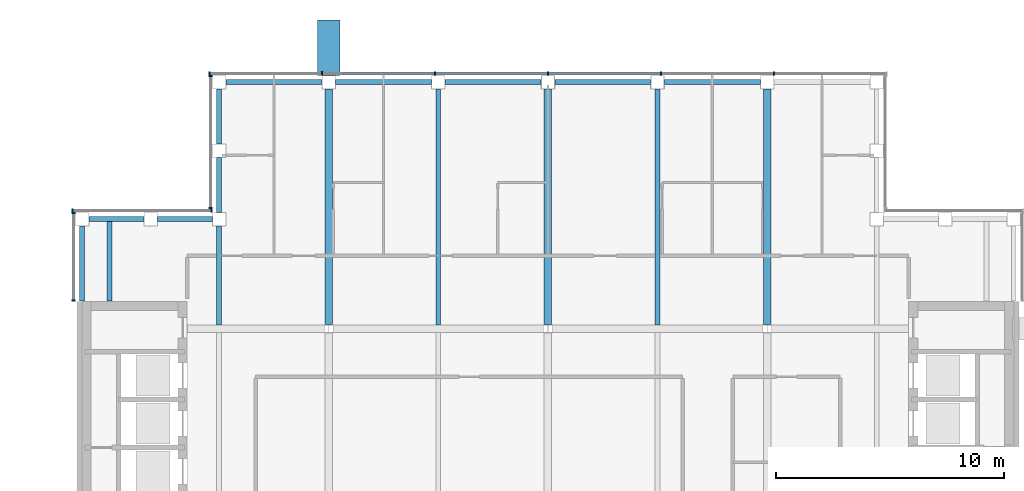
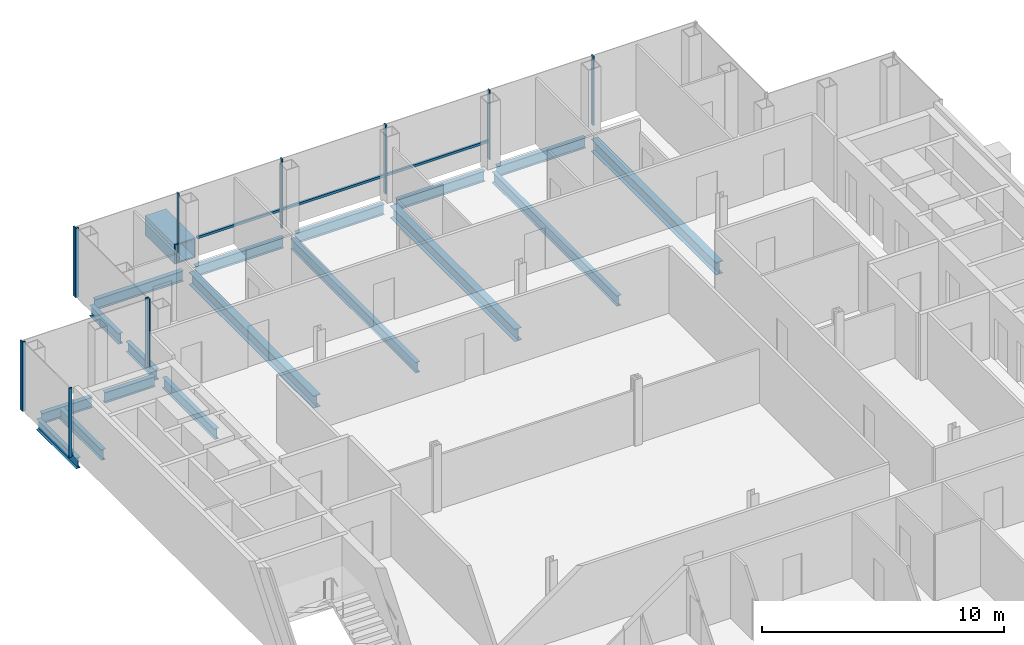
# One storey, part 7 of 15: 18 beams, 15 members, 4 elements without a shape of their own.
"""IFC4 building model written with IfcOpenShell, lengths in metres."""

from ifc_helpers import new_model, si_unit, direction, frame, origin, origin_2d, place, context, subcontext, project, spatial, rectangle, hollow_rectangle, i_section, extrude, material, material_profile, profile_set, type_object, element, aggregate, save


model = new_model("IFC4")

# Units and contexts
model_context = context("Model", 3, precision=1e-05, world=origin(), true_north=direction((0.0, 1.0)))
body_context = subcontext(model_context, "Body", "Model", "MODEL_VIEW")
ifc_project = project(units=[si_unit("LENGTHUNIT", "METRE"), si_unit("AREAUNIT", "SQUARE_METRE"), si_unit("VOLUMEUNIT", "CUBIC_METRE"), si_unit("PLANEANGLEUNIT", "RADIAN"), si_unit("MASSUNIT", "GRAM", prefix="KILO")], contexts=[model_context])

# Site, building, storey
site_placement = place(None, origin())
site = spatial("IfcSite", under=ifc_project, at=site_placement, CompositionType="ELEMENT")
building_placement = place(site_placement, origin())
building = spatial("IfcBuilding", under=site, at=building_placement, Name="Cobrizo Arcos Hotel Tower", CompositionType="ELEMENT")
storey_placement = place(building_placement, frame((0.0, 0.0, 258.5)))
storey = spatial("IfcBuildingStorey", under=building, at=storey_placement, Name="L68", CompositionType="ELEMENT", Elevation=258.5)

# Beam
ifc_material_1 = material(Name="Steel ASTM A572 Grade 50", Category="steel")
ifc_material_profile_1 = material_profile(ifc_material_1, hollow_rectangle(XDim=1.0, YDim=1.0, WallThickness=0.06005859375, at=origin_2d()), Name="BOX 1000X1000X60")
ifc_profile_set_1 = profile_set([ifc_material_profile_1], Name="Steel ASTM A572 Grade 50")
beam_type_1 = type_object("IfcBeamType", Name="BOX 1000X1000X60 brace connector strut", PredefinedType="BEAM", material=ifc_profile_set_1)
beam_1_placement = place(storey_placement, frame((-9.60009765625, 20.68994140625, 0.5), z_axis=(0.0, 1.0, 0.0), x_axis=(-1.0, 0.0, 0.0)))
element("IfcBeam", 1, at=beam_1_placement, inside=storey, type_object=beam_type_1, Name="Perimeter brace stub BS1, zone Z5, north face, offset -9.60 m, L68", PredefinedType="BEAM", context=body_context, shape_type="SweptSolid", body=[
    extrude(hollow_rectangle(XDim=1.0, YDim=1.0, WallThickness=0.06005859375, at=origin_2d()), origin(), (0.0, 0.0, 1.0), 2.43017578125),
])

# Curtain wall, members
ifc_material_2 = material(Name="Aluminium 6063-T6 anodised bronze", Category="aluminium")
curtain_wall_type = type_object("IfcCurtainWallType", Name="CW-A guest facade", PredefinedType="NOTDEFINED", material=ifc_material_2)
curtain_wall_1_placement = place(storey_placement, origin())
curtain_wall_1 = element("IfcCurtainWall", 2, at=curtain_wall_1_placement, inside=storey, type_object=curtain_wall_type, Name="CW-A L68 N face", PredefinedType="NOTDEFINED")
ifc_material_profile_2 = material_profile(ifc_material_2, rectangle(XDim=0.14990234375, YDim=0.06005859375, at=origin_2d()), Name="CW-A mullion 150x60")
ifc_profile_set_2 = profile_set([ifc_material_profile_2], Name="Aluminium 6063-T6 anodised bronze")
member_type_1 = type_object("IfcMemberType", Name="CW-A mullion 150x60", PredefinedType="MULLION", material=ifc_profile_set_2)
member_1_placement = place(storey_placement, frame((9.89990234375, 20.77490234375, 0.0), z_axis=(0.0, 0.0, 1.0), x_axis=(0.0, 1.0, 0.0)))
member_1 = element("IfcMember", 3, at=member_1_placement, type_object=member_type_1, Name="CW-A mullion 2", PredefinedType="MULLION", context=body_context, shape_type="SweptSolid", body=[
    extrude(rectangle(XDim=0.14990234375, YDim=0.06005859375, at=origin_2d()), origin(), (0.0, 0.0, 1.0), 3.5),
])
member_2_placement = place(storey_placement, frame((4.949951171875, 20.77490234375, 0.0), z_axis=(0.0, 0.0, 1.0), x_axis=(0.0, 1.0, 0.0)))
member_2 = element("IfcMember", 4, at=member_2_placement, type_object=member_type_1, Name="CW-A mullion 3", PredefinedType="MULLION", context=body_context, shape_type="SweptSolid", body=[
    extrude(rectangle(XDim=0.14990234375, YDim=0.06005859375, at=origin_2d()), origin(), (0.0, 0.0, 1.0), 3.5),
])
member_3_placement = place(storey_placement, frame((0.0, 20.77490234375, 0.0), z_axis=(0.0, 0.0, 1.0), x_axis=(0.0, 1.0, 0.0)))
member_3 = element("IfcMember", 5, at=member_3_placement, type_object=member_type_1, Name="CW-A mullion 4", PredefinedType="MULLION", context=body_context, shape_type="SweptSolid", body=[
    extrude(rectangle(XDim=0.14990234375, YDim=0.06005859375, at=origin_2d()), origin(), (0.0, 0.0, 1.0), 3.5),
])
member_4_placement = place(storey_placement, frame((-4.949951171875, 20.77490234375, 0.0), z_axis=(0.0, 0.0, 1.0), x_axis=(0.0, 1.0, 0.0)))
member_4 = element("IfcMember", 6, at=member_4_placement, type_object=member_type_1, Name="CW-A mullion 5", PredefinedType="MULLION", context=body_context, shape_type="SweptSolid", body=[
    extrude(rectangle(XDim=0.14990234375, YDim=0.06005859375, at=origin_2d()), origin(), (0.0, 0.0, 1.0), 3.5),
])
member_5_placement = place(storey_placement, frame((-9.89990234375, 20.77490234375, 0.0), z_axis=(0.0, 0.0, 1.0), x_axis=(0.0, 1.0, 0.0)))
member_5 = element("IfcMember", 7, at=member_5_placement, type_object=member_type_1, Name="CW-A mullion 6", PredefinedType="MULLION", context=body_context, shape_type="SweptSolid", body=[
    extrude(rectangle(XDim=0.14990234375, YDim=0.06005859375, at=origin_2d()), origin(), (0.0, 0.0, 1.0), 3.5),
])
member_6_placement = place(storey_placement, frame((-14.820068359375, 20.77490234375, 0.0), z_axis=(0.0, 0.0, 1.0), x_axis=(0.0, 1.0, 0.0)))
member_6 = element("IfcMember", 8, at=member_6_placement, type_object=member_type_1, Name="CW-A mullion 7", PredefinedType="MULLION", context=body_context, shape_type="SweptSolid", body=[
    extrude(rectangle(XDim=0.14990234375, YDim=0.06005859375, at=origin_2d()), origin(), (0.0, 0.0, 1.0), 3.5),
])

curtain_wall_2_placement = place(storey_placement, origin())
curtain_wall_2 = element("IfcCurtainWall", 9, at=curtain_wall_2_placement, inside=storey, type_object=curtain_wall_type, Name="CW-A L68 W face", PredefinedType="NOTDEFINED")
member_7_placement = place(storey_placement, frame((-14.77490234375, 20.669921875, 0.0), z_axis=(0.0, 0.0, 1.0), x_axis=(-1.0, 0.0, 0.0)))
member_7 = element("IfcMember", 10, at=member_7_placement, type_object=member_type_1, Name="CW-A mullion 1", PredefinedType="MULLION", context=body_context, shape_type="SweptSolid", body=[
    extrude(rectangle(XDim=0.14990234375, YDim=0.06005859375, at=origin_2d()), origin(), (0.0, 0.0, 1.0), 3.5),
])
member_8_placement = place(storey_placement, frame((-14.77490234375, 14.8798828125, 0.0), z_axis=(0.0, 0.0, 1.0), x_axis=(-1.0, 0.0, 0.0)))
member_8 = element("IfcMember", 11, at=member_8_placement, type_object=member_type_1, Name="CW-A mullion 2", PredefinedType="MULLION", context=body_context, shape_type="SweptSolid", body=[
    extrude(rectangle(XDim=0.14990234375, YDim=0.06005859375, at=origin_2d()), origin(), (0.0, 0.0, 1.0), 3.5),
])
aggregate(curtain_wall_2, [member_7, member_8])

curtain_wall_3_placement = place(storey_placement, origin())
curtain_wall_3 = element("IfcCurtainWall", 12, at=curtain_wall_3_placement, inside=storey, type_object=curtain_wall_type, Name="CW-A L68 N face", PredefinedType="NOTDEFINED")
member_9_placement = place(storey_placement, frame((-14.72998046875, 14.77490234375, 0.0), z_axis=(0.0, 0.0, 1.0), x_axis=(0.0, 1.0, 0.0)))
member_9 = element("IfcMember", 13, at=member_9_placement, type_object=member_type_1, Name="CW-A mullion 1", PredefinedType="MULLION", context=body_context, shape_type="SweptSolid", body=[
    extrude(rectangle(XDim=0.14990234375, YDim=0.06005859375, at=origin_2d()), origin(), (0.0, 0.0, 1.0), 3.5),
])
member_10_placement = place(storey_placement, frame((-20.820068359375, 14.77490234375, 0.0), z_axis=(0.0, 0.0, 1.0), x_axis=(0.0, 1.0, 0.0)))
member_10 = element("IfcMember", 14, at=member_10_placement, type_object=member_type_1, Name="CW-A mullion 2", PredefinedType="MULLION", context=body_context, shape_type="SweptSolid", body=[
    extrude(rectangle(XDim=0.14990234375, YDim=0.06005859375, at=origin_2d()), origin(), (0.0, 0.0, 1.0), 3.5),
])
aggregate(curtain_wall_3, [member_9, member_10])

curtain_wall_4_placement = place(storey_placement, origin())
curtain_wall_4 = element("IfcCurtainWall", 15, at=curtain_wall_4_placement, inside=storey, type_object=curtain_wall_type, Name="CW-A L68 W face", PredefinedType="NOTDEFINED")
member_11_placement = place(storey_placement, frame((-20.77490234375, 14.669921875, 0.0), z_axis=(0.0, 0.0, 1.0), x_axis=(-1.0, 0.0, 0.0)))
member_11 = element("IfcMember", 16, at=member_11_placement, type_object=member_type_1, Name="CW-A mullion 1", PredefinedType="MULLION", context=body_context, shape_type="SweptSolid", body=[
    extrude(rectangle(XDim=0.14990234375, YDim=0.06005859375, at=origin_2d()), origin(), (0.0, 0.0, 1.0), 3.5),
])
member_12_placement = place(storey_placement, frame((-20.77490234375, 10.830078125, 0.0), z_axis=(0.0, 0.0, 1.0), x_axis=(-1.0, 0.0, 0.0)))
member_12 = element("IfcMember", 17, at=member_12_placement, type_object=member_type_1, Name="CW-A mullion 2", PredefinedType="MULLION", context=body_context, shape_type="SweptSolid", body=[
    extrude(rectangle(XDim=0.14990234375, YDim=0.06005859375, at=origin_2d()), origin(), (0.0, 0.0, 1.0), 3.5),
])
aggregate(curtain_wall_4, [member_11, member_12])

# Member
ifc_material_profile_3 = material_profile(ifc_material_2, rectangle(XDim=0.10009765625, YDim=0.1201171875, at=origin_2d()), Name="CW-A transom 120x100")
ifc_profile_set_3 = profile_set([ifc_material_profile_3], Name="Aluminium 6063-T6 anodised bronze")
member_type_2 = type_object("IfcMemberType", Name="CW-A transom 120x100", PredefinedType="USERDEFINED", material=ifc_profile_set_3)
member_13_placement = place(storey_placement, frame((4.919921875, 20.77490234375, 0.929931640625), z_axis=(-1.0, 0.0, 0.0), x_axis=(0.0, -1.0, 0.0)))
member_13 = element("IfcMember", 18, at=member_13_placement, type_object=member_type_2, Name="CW-A transom 2146", ObjectType="TRANSOM", PredefinedType="USERDEFINED", context=body_context, shape_type="SweptSolid", body=[
    extrude(rectangle(XDim=0.10009765625, YDim=0.1201171875, at=origin_2d()), origin(), (0.0, 0.0, 1.0), 4.889892578125),
])

member_14_placement = place(storey_placement, frame((-0.030029296875, 20.77490234375, 0.929931640625), z_axis=(-1.0, 0.0, 0.0), x_axis=(0.0, -1.0, 0.0)))
member_14 = element("IfcMember", 19, at=member_14_placement, type_object=member_type_2, Name="CW-A transom 2147", ObjectType="TRANSOM", PredefinedType="USERDEFINED", context=body_context, shape_type="SweptSolid", body=[
    extrude(rectangle(XDim=0.10009765625, YDim=0.1201171875, at=origin_2d()), origin(), (0.0, 0.0, 1.0), 4.889892578125),
])

member_15_placement = place(storey_placement, frame((-4.97998046875, 20.77490234375, 0.929931640625), z_axis=(-1.0, 0.0, 0.0), x_axis=(0.0, -1.0, 0.0)))
member_15 = element("IfcMember", 20, at=member_15_placement, type_object=member_type_2, Name="CW-A transom 2148", ObjectType="TRANSOM", PredefinedType="USERDEFINED", context=body_context, shape_type="SweptSolid", body=[
    extrude(rectangle(XDim=0.10009765625, YDim=0.1201171875, at=origin_2d()), origin(), (0.0, 0.0, 1.0), 4.02001953125),
])

aggregate(curtain_wall_1, [member_1, member_2, member_3, member_4, member_5, member_6, member_13, member_14, member_15])

# Beams
ifc_material_3 = material(Name="Steel ASTM A992 Grade 50", Category="steel")
ifc_material_profile_4 = material_profile(ifc_material_3, i_section(OverallWidth=0.209228515625, OverallDepth=0.533447265625, WebThickness=0.01025390625, FlangeThickness=0.015625, at=origin_2d()), Name="W21X62")
ifc_profile_set_4 = profile_set([ifc_material_profile_4], Name="Steel ASTM A992 Grade 50")
beam_type_2 = type_object("IfcBeamType", Name="W21X62 joist", PredefinedType="JOIST", material=ifc_profile_set_4)
beam_2_placement = place(storey_placement, frame((-19.199951171875, 10.81005859375, -0.416748046875), z_axis=(0.0, 1.0, 0.0), x_axis=(-1.0, 0.0, 0.0)))
element("IfcBeam", 21, at=beam_2_placement, inside=storey, type_object=beam_type_2, Name="Floor joist J1, L68, no. 002", PredefinedType="JOIST", context=body_context, shape_type="SweptSolid", body=[
    extrude(i_section(OverallWidth=0.209228515625, OverallDepth=0.533447265625, WebThickness=0.01025390625, FlangeThickness=0.015625, at=origin_2d()), origin(), (0.0, 0.0, 1.0), 3.5),
])
beam_3_placement = place(storey_placement, frame((-14.39990234375, 9.763916015625, -0.416748046875), z_axis=(0.0, 1.0, 0.0), x_axis=(-1.0, 0.0, 0.0)))
element("IfcBeam", 22, at=beam_3_placement, inside=storey, type_object=beam_type_2, Name="Floor joist J1, L68, no. 006", PredefinedType="JOIST", context=body_context, shape_type="SweptSolid", body=[
    extrude(i_section(OverallWidth=0.209228515625, OverallDepth=0.533447265625, WebThickness=0.01025390625, FlangeThickness=0.015625, at=origin_2d()), origin(), (0.0, 0.0, 1.0), 4.336181640625),
])
for number, where, z_axis, x_axis, name in (
    (23, (-4.800048828125, 9.763916015625, -0.416748046875), (0.0, 1.0, 0.0), (-1.0, 0.0, 0.0), "Floor joist J1, L68, no. 010"),
    (24, (4.800048828125, 9.763916015625, -0.416748046875), (0.0, 1.0, 0.0), (-1.0, 0.0, 0.0), "Floor joist J1, L68, no. 014"),
):
    element("IfcBeam", number, at=place(storey_placement, frame(where, z_axis=z_axis, x_axis=x_axis)), inside=storey, type_object=beam_type_2, Name=name, PredefinedType="JOIST", context=body_context, shape_type="SweptSolid", body=[
        extrude(i_section(OverallWidth=0.209228515625, OverallDepth=0.533447265625, WebThickness=0.01025390625, FlangeThickness=0.015625, at=origin_2d()), origin(), (0.0, 0.0, 1.0), 10.336181640625),
    ])
ifc_material_profile_5 = material_profile(ifc_material_3, i_section(OverallWidth=0.209228515625, OverallDepth=0.533447265625, WebThickness=0.01025390625, FlangeThickness=0.015625, at=origin_2d()), Name="W21X62")
ifc_profile_set_5 = profile_set([ifc_material_profile_5], Name="Steel ASTM A992 Grade 50")
beam_type_3 = type_object("IfcBeamType", Name="W21X62 spandrel", PredefinedType="SPANDREL", material=ifc_profile_set_5)
for number, where, z_axis, x_axis, name in (
    (25, (9.300048828125, 20.39990234375, -0.416748046875), (-1.0, 0.0, 0.0), (0.0, -1.0, 0.0), "Spandrel beam W21X62, L68, no. 018"),
    (26, (4.5, 20.39990234375, -0.416748046875), (-1.0, 0.0, 0.0), (0.0, -1.0, 0.0), "Spandrel beam W21X62, L68, no. 019"),
    (27, (-0.300048828125, 20.39990234375, -0.416748046875), (-1.0, 0.0, 0.0), (0.0, -1.0, 0.0), "Spandrel beam W21X62, L68, no. 020"),
    (28, (-5.10009765625, 20.39990234375, -0.416748046875), (-1.0, 0.0, 0.0), (0.0, -1.0, 0.0), "Spandrel beam W21X62, L68, no. 021"),
):
    element("IfcBeam", number, at=place(storey_placement, frame(where, z_axis=z_axis, x_axis=x_axis)), inside=storey, type_object=beam_type_3, Name=name, PredefinedType="SPANDREL", context=body_context, shape_type="SweptSolid", body=[
        extrude(i_section(OverallWidth=0.209228515625, OverallDepth=0.533447265625, WebThickness=0.01025390625, FlangeThickness=0.015625, at=origin_2d()), origin(), (0.0, 0.0, 1.0), 4.199951171875),
    ])
beam_4_placement = place(storey_placement, frame((-9.89990234375, 20.39990234375, -0.416748046875), z_axis=(-1.0, 0.0, 0.0), x_axis=(0.0, -1.0, 0.0)))
element("IfcBeam", 29, at=beam_4_placement, inside=storey, type_object=beam_type_3, Name="Spandrel beam W21X62, L68, no. 022", PredefinedType="SPANDREL", context=body_context, shape_type="SweptSolid", body=[
    extrude(i_section(OverallWidth=0.209228515625, OverallDepth=0.533447265625, WebThickness=0.01025390625, FlangeThickness=0.015625, at=origin_2d()), origin(), (0.0, 0.0, 1.0), 4.2001953125),
])
for number, where, z_axis, x_axis, name in (
    (30, (-14.39990234375, 20.10009765625, -0.416748046875), (0.0, -1.0, 0.0), (1.0, 0.0, 0.0), "Spandrel beam W21X62, L68, no. 023"),
    (31, (-14.39990234375, 17.10009765625, -0.416748046875), (0.0, -1.0, 0.0), (1.0, 0.0, 0.0), "Spandrel beam W21X62, L68, no. 024"),
    (32, (-14.699951171875, 14.39990234375, -0.416748046875), (-1.0, 0.0, 0.0), (0.0, -1.0, 0.0), "Spandrel beam W21X62, L68, no. 025"),
    (33, (-17.699951171875, 14.39990234375, -0.416748046875), (-1.0, 0.0, 0.0), (0.0, -1.0, 0.0), "Spandrel beam W21X62, L68, no. 026"),
):
    element("IfcBeam", number, at=place(storey_placement, frame(where, z_axis=z_axis, x_axis=x_axis)), inside=storey, type_object=beam_type_3, Name=name, PredefinedType="SPANDREL", context=body_context, shape_type="SweptSolid", body=[
        extrude(i_section(OverallWidth=0.209228515625, OverallDepth=0.533447265625, WebThickness=0.01025390625, FlangeThickness=0.015625, at=origin_2d()), origin(), (0.0, 0.0, 1.0), 2.400146484375),
    ])
beam_5_placement = place(storey_placement, frame((-20.39990234375, 14.10009765625, -0.416748046875), z_axis=(0.0, -1.0, 0.0), x_axis=(1.0, 0.0, 0.0)))
element("IfcBeam", 34, at=beam_5_placement, inside=storey, type_object=beam_type_3, Name="Spandrel beam W21X62, L68, no. 027", PredefinedType="SPANDREL", context=body_context, shape_type="SweptSolid", body=[
    extrude(i_section(OverallWidth=0.209228515625, OverallDepth=0.533447265625, WebThickness=0.01025390625, FlangeThickness=0.015625, at=origin_2d()), origin(), (0.0, 0.0, 1.0), 3.2900390625),
])
ifc_material_profile_6 = material_profile(ifc_material_3, i_section(OverallWidth=0.32763671875, OverallDepth=0.622314453125, WebThickness=0.015380859375, FlangeThickness=0.0244140625, at=origin_2d()), Name="W24X131")
ifc_profile_set_6 = profile_set([ifc_material_profile_6], Name="Steel ASTM A992 Grade 50")
beam_type_4 = type_object("IfcBeamType", Name="W24X131 girder", PredefinedType="BEAM", material=ifc_profile_set_6)
for number, where, z_axis, x_axis, name in (
    (35, (-9.60009765625, 9.7841796875, -0.461181640625), (0.0, 1.0, 0.0), (-1.0, 0.0, 0.0), "Floor girder G1, L68, no. 016"),
    (36, (0.0, 9.7841796875, -0.461181640625), (0.0, 1.0, 0.0), (-1.0, 0.0, 0.0), "Floor girder G1, L68, no. 020"),
    (37, (9.60009765625, 9.7841796875, -0.461181640625), (0.0, 1.0, 0.0), (-1.0, 0.0, 0.0), "Floor girder G1, L68, no. 024"),
):
    element("IfcBeam", number, at=place(storey_placement, frame(where, z_axis=z_axis, x_axis=x_axis)), inside=storey, type_object=beam_type_4, Name=name, PredefinedType="BEAM", context=body_context, shape_type="SweptSolid", body=[
        extrude(i_section(OverallWidth=0.32763671875, OverallDepth=0.622314453125, WebThickness=0.015380859375, FlangeThickness=0.0244140625, at=origin_2d()), origin(), (0.0, 0.0, 1.0), 10.31591796875),
    ])

save(model, "model.ifc")
